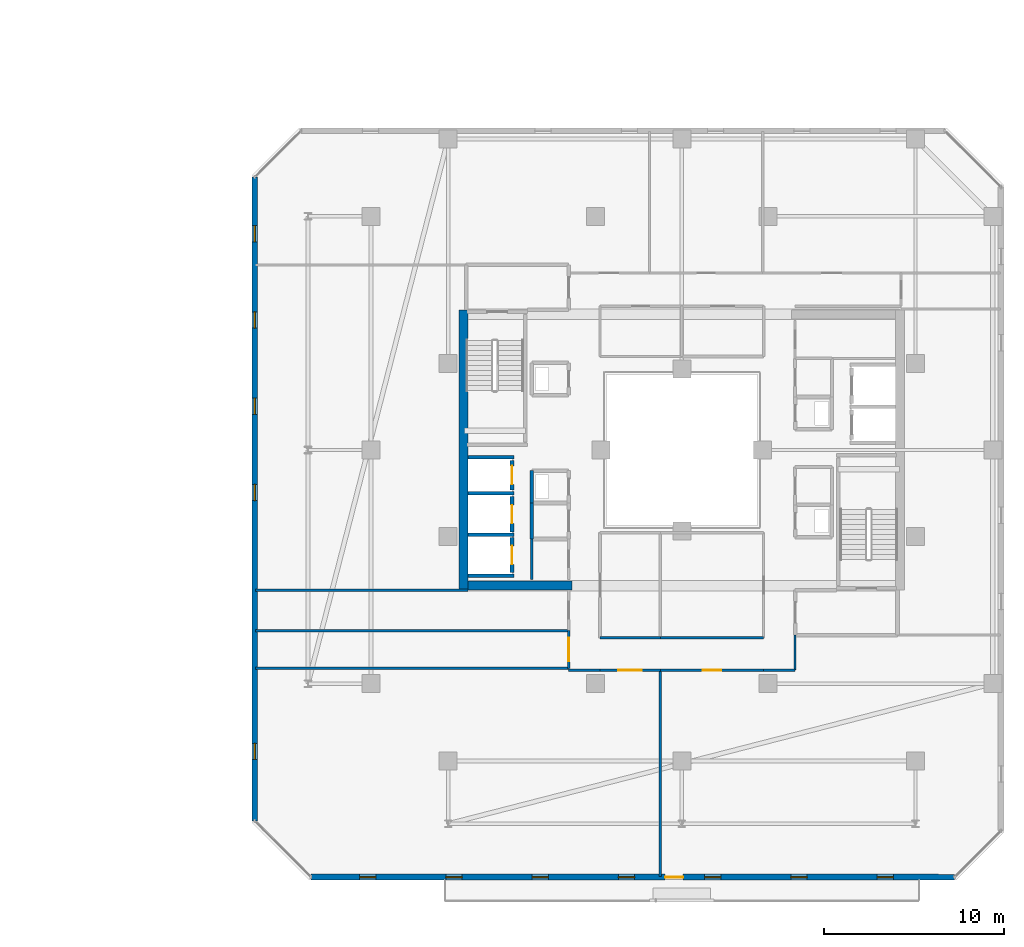
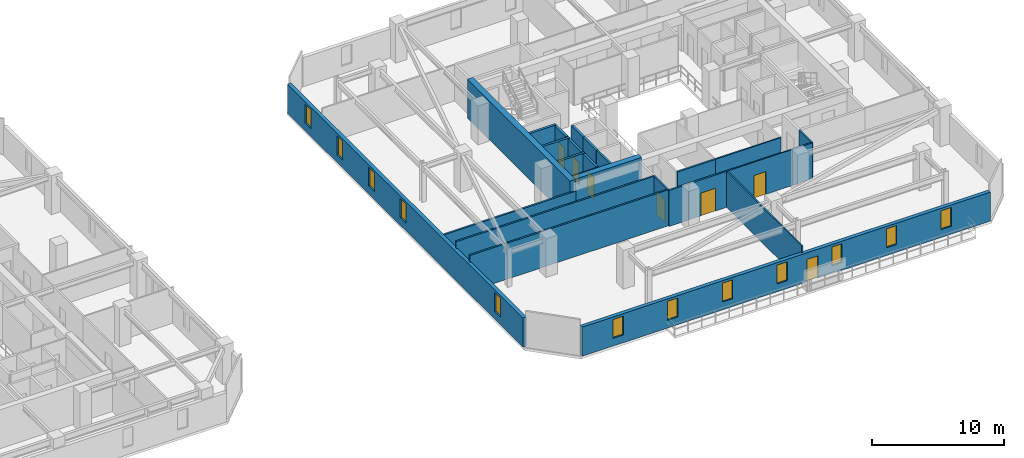
# One storey, part 23 of 33: 26 walls, 12 windows, 7 doors, 19 openings.
"""IFC4 building model written with IfcOpenShell, lengths in metres."""

from ifc_helpers import new_model, si_unit, direction, frame, frame_2d, origin, place, context, subcontext, project, spatial, rectangle, extrude, material, layer, layer_set, type_object, element, fill, save


model = new_model("IFC4")

# Units and contexts
model_context = context("Model", 3, precision=1e-05, world=origin(), true_north=direction((0.0, 1.0)))
body_context = subcontext(model_context, "Body", "Model", "MODEL_VIEW")
ifc_project = project(units=[si_unit("LENGTHUNIT", "METRE"), si_unit("AREAUNIT", "SQUARE_METRE"), si_unit("VOLUMEUNIT", "CUBIC_METRE"), si_unit("PLANEANGLEUNIT", "RADIAN"), si_unit("MASSUNIT", "GRAM", prefix="KILO")], contexts=[model_context])

# Site, building, storey
site_placement = place(None, origin())
site = spatial("IfcSite", under=ifc_project, at=site_placement, CompositionType="ELEMENT")
building_placement = place(site_placement, origin())
building = spatial("IfcBuilding", under=site, at=building_placement, Name="Thornwick Lancets Civic Towers", CompositionType="ELEMENT")
storey_placement = place(building_placement, frame((0.0, 0.0, 214.5)))
storey = spatial("IfcBuildingStorey", under=building, at=storey_placement, Name="L57", CompositionType="ELEMENT", Elevation=214.5)

# Wall, opening, door
ifc_material_1 = material(Name="Concrete blockwork C40/50", Category="masonry")
ifc_layer_1 = layer(ifc_material_1, 0.199951171875, Name="Concrete blockwork C40/50")
ifc_layer_set_1 = layer_set([ifc_layer_1], Name="Concrete blockwork C40/50")
wall_type_1 = type_object("IfcWallType", Name="WALL_COMP_200", PredefinedType="STANDARD", material=ifc_layer_set_1)
wall_1_placement = place(storey_placement, frame((79.050048828125, 24.780029296875, 0.0), z_axis=(0.0, 0.0, 1.0), x_axis=(0.0, 1.0, 0.0)))
wall_1 = element("IfcWall", 1, at=wall_1_placement, inside=storey, type_object=wall_type_1, Name="L57 Hoistway Front Wall FL-B2", PredefinedType="STANDARD", context=body_context, shape_type="SweptSolid", body=[
    extrude(rectangle(XDim=1.639892578125, YDim=0.199951171875, at=frame_2d((0.81982421875, 0.0))), origin(), (0.0, 0.0, 1.0), 3.340087890625),
])
opening_1_placement = place(wall_1_placement, frame((0.31005859375, 0.0, 0.0)))
opening_1 = element("IfcOpeningElement", 2, at=opening_1_placement, cuts=wall_1, Name="Opening LD-FL-B2", PredefinedType="OPENING", context=body_context, shape_type="SweptSolid", body=[
    extrude(rectangle(XDim=1.02001953125, YDim=2.06005859375, at=frame_2d((0.510009765625, 1.030029296875))), frame((0.0, 0.10986328125, 0.0), z_axis=(0.0, -1.0, 0.0), x_axis=(1.0, 0.0, 0.0)), (0.0, 0.0, 1.0), 0.219970703125),
])
ifc_material_2 = material(Name="Brushed bronze stainless steel", Category="steel")
door_type_1 = type_object("IfcDoorType", Name="DOOR_LIFT_SLIDE", OperationType="SLIDING_TO_LEFT", PredefinedType="DOOR", material=ifc_material_2)
door_1_placement = place(opening_1_placement, origin())
door_1 = element("IfcDoor", 3, at=door_1_placement, inside=storey, type_object=door_type_1, Name="L57 Sliding Lift Landing Door LD-FL-B2", OperationType="SLIDING_TO_LEFT", OverallHeight=2.06005859375, OverallWidth=1.02001953125, PredefinedType="DOOR", context=body_context, shape_type="SweptSolid", body=[
    extrude(rectangle(XDim=1.02001953125, YDim=2.06005859375, at=frame_2d((0.510009765625, 1.030029296875))), frame((0.0, 0.02490234375, 0.0), z_axis=(0.0, -1.0, 0.0), x_axis=(1.0, 0.0, 0.0)), (0.0, 0.0, 1.0), 0.050048828125),
])
fill(opening_1, door_1)

wall_2_placement = place(storey_placement, frame((79.050048828125, 22.429931640625, 0.0), z_axis=(0.0, 0.0, 1.0), x_axis=(0.0, 1.0, 0.0)))
wall_2 = element("IfcWall", 4, at=wall_2_placement, inside=storey, type_object=wall_type_1, Name="L57 Hoistway Front Wall PL-BH2", PredefinedType="STANDARD", context=body_context, shape_type="SweptSolid", body=[
    extrude(rectangle(XDim=1.989990234375, YDim=0.199951171875, at=frame_2d((0.9951171875, 0.0))), origin(), (0.0, 0.0, 1.0), 3.340087890625),
])
opening_2_placement = place(wall_2_placement, frame((0.485107421875, 0.0, 0.0)))
opening_2 = element("IfcOpeningElement", 5, at=opening_2_placement, cuts=wall_2, Name="Opening LD-PL-BH2", PredefinedType="OPENING", context=body_context, shape_type="SweptSolid", body=[
    extrude(rectangle(XDim=1.02001953125, YDim=2.06005859375, at=frame_2d((0.510009765625, 1.030029296875))), frame((0.0, 0.10986328125, 0.0), z_axis=(0.0, -1.0, 0.0), x_axis=(1.0, 0.0, 0.0)), (0.0, 0.0, 1.0), 0.219970703125),
])
door_2_placement = place(opening_2_placement, origin())
door_2 = element("IfcDoor", 6, at=door_2_placement, inside=storey, type_object=door_type_1, Name="L57 Sliding Lift Landing Door LD-PL-BH2", OperationType="SLIDING_TO_LEFT", OverallHeight=2.06005859375, OverallWidth=1.02001953125, PredefinedType="DOOR", context=body_context, shape_type="SweptSolid", body=[
    extrude(rectangle(XDim=1.02001953125, YDim=2.06005859375, at=frame_2d((0.510009765625, 1.030029296875))), frame((0.0, 0.02490234375, 0.0), z_axis=(0.0, -1.0, 0.0), x_axis=(1.0, 0.0, 0.0)), (0.0, 0.0, 1.0), 0.050048828125),
])
fill(opening_2, door_2)

wall_3_placement = place(storey_placement, frame((79.050048828125, 20.179931640625, 0.0), z_axis=(0.0, 0.0, 1.0), x_axis=(0.0, 1.0, 0.0)))
wall_3 = element("IfcWall", 7, at=wall_3_placement, inside=storey, type_object=wall_type_1, Name="L57 Hoistway Front Wall PL-BH3", PredefinedType="STANDARD", context=body_context, shape_type="SweptSolid", body=[
    extrude(rectangle(XDim=1.940185546875, YDim=0.199951171875, at=frame_2d((0.97021484375, 0.0))), origin(), (0.0, 0.0, 1.0), 3.340087890625),
])
opening_3_placement = place(wall_3_placement, frame((0.4599609375, 0.0, 0.0)))
opening_3 = element("IfcOpeningElement", 8, at=opening_3_placement, cuts=wall_3, Name="Opening LD-PL-BH3", PredefinedType="OPENING", context=body_context, shape_type="SweptSolid", body=[
    extrude(rectangle(XDim=1.02001953125, YDim=2.06005859375, at=frame_2d((0.510009765625, 1.030029296875))), frame((0.0, 0.10986328125, 0.0), z_axis=(0.0, -1.0, 0.0), x_axis=(1.0, 0.0, 0.0)), (0.0, 0.0, 1.0), 0.219970703125),
])
door_3_placement = place(opening_3_placement, origin())
door_3 = element("IfcDoor", 9, at=door_3_placement, inside=storey, type_object=door_type_1, Name="L57 Sliding Lift Landing Door LD-PL-BH3", OperationType="SLIDING_TO_LEFT", OverallHeight=2.06005859375, OverallWidth=1.02001953125, PredefinedType="DOOR", context=body_context, shape_type="SweptSolid", body=[
    extrude(rectangle(XDim=1.02001953125, YDim=2.06005859375, at=frame_2d((0.510009765625, 1.030029296875))), frame((0.0, 0.02490234375, 0.0), z_axis=(0.0, -1.0, 0.0), x_axis=(1.0, 0.0, 0.0)), (0.0, 0.0, 1.0), 0.050048828125),
])
fill(opening_3, door_3)

# Walls
for number, where, z_axis, x_axis, name in (
    (10, (76.612060546875, 26.60009765625, 0.0), (0.0, 0.0, 1.0), (1.0, 0.0, 0.0), "L57 Hoistway Shaft Wall FL-B2 N"),
    (11, (76.612060546875, 24.60009765625, 0.0), (0.0, 0.0, 1.0), (1.0, 0.0, 0.0), "L57 Hoistway Shaft Wall FL-B2 S"),
    (12, (76.612060546875, 22.27490234375, 0.0), (0.0, 0.0, 1.0), (1.0, 0.0, 0.0), "L57 Hoistway Shaft Wall PL-BH2 S"),
    (13, (76.612060546875, 20.0, 0.0), (0.0, 0.0, 1.0), (1.0, 0.0, 0.0), "L57 Hoistway Shaft Wall PL-BH3 S"),
):
    element("IfcWall", number, at=place(storey_placement, frame(where, z_axis=z_axis, x_axis=x_axis)), inside=storey, type_object=wall_type_1, Name=name, PredefinedType="STANDARD", context=body_context, shape_type="SweptSolid", body=[
        extrude(rectangle(XDim=2.535888671875, YDim=0.199951171875, at=frame_2d((1.26806640625, 0.0))), origin(), (0.0, 0.0, 1.0), 3.340087890625),
    ])
wall_4_placement = place(storey_placement, frame((80.14990234375, 25.85009765625, 0.0), z_axis=(0.0, 0.0, 1.0), x_axis=(0.0, -1.0, 0.0)))
element("IfcWall", 14, at=wall_4_placement, inside=storey, type_object=wall_type_1, Name="L57 Partition L57-B-DUCT2 E4", PredefinedType="STANDARD", context=body_context, shape_type="SweptSolid", body=[
    extrude(rectangle(XDim=1.800048828125, YDim=0.199951171875, at=frame_2d((0.89990234375, 0.0))), origin(), (0.0, 0.0, 1.0), 3.340087890625),
])
wall_5_placement = place(storey_placement, frame((80.14990234375, 22.050048828125, 0.0), z_axis=(0.0, 0.0, 1.0), x_axis=(0.0, 1.0, 0.0)))
element("IfcWall", 15, at=wall_5_placement, inside=storey, type_object=wall_type_1, Name="L57 Partition L57-B-STR E1", PredefinedType="STANDARD", context=body_context, shape_type="SweptSolid", body=[
    extrude(rectangle(XDim=2.0, YDim=0.199951171875, at=frame_2d((1.0, 0.0))), origin(), (0.0, 0.0, 1.0), 3.340087890625),
])
ifc_material_3 = material(Name="Concrete C50/60", Category="concrete")
ifc_layer_2 = layer(ifc_material_3, 0.5, Name="Concrete C50/60")
ifc_layer_set_2 = layer_set([ifc_layer_2], Name="Concrete C50/60")
wall_type_2 = type_object("IfcWallType", Name="WALL_CORE_500", PredefinedType="SHEAR", material=ifc_layer_set_2)
wall_6_placement = place(storey_placement, frame((76.35009765625, 19.199951171875, 0.0), z_axis=(0.0, 0.0, 1.0), x_axis=(0.0, 1.0, 0.0)))
element("IfcWall", 16, at=wall_6_placement, inside=storey, type_object=wall_type_2, Name="L57 Split Core B2 Shear Wall W", PredefinedType="SHEAR", context=body_context, shape_type="SweptSolid", body=[
    extrude(rectangle(XDim=15.60009765625, YDim=0.5, at=frame_2d((7.800048828125, 0.0))), origin(), (0.0, 0.0, 1.0), 3.60009765625),
])
wall_7_placement = place(storey_placement, frame((76.60009765625, 19.449951171875, 0.0), z_axis=(0.0, 0.0, 1.0), x_axis=(1.0, 0.0, 0.0)))
element("IfcWall", 17, at=wall_7_placement, inside=storey, type_object=wall_type_2, Name="L57 Split Core B2 Shear Wall S", PredefinedType="SHEAR", context=body_context, shape_type="SweptSolid", body=[
    extrude(rectangle(XDim=5.7998046875, YDim=0.5, at=frame_2d((2.89990234375, 0.0))), origin(), (0.0, 0.0, 1.0), 3.60009765625),
])

# Wall, openings, door, windows
ifc_material_4 = material(Name="Insulated buff terracotta rainscreen on concrete C40/50", Category="masonry")
ifc_layer_3 = layer(ifc_material_4, 0.320068359375, Name="Insulated buff terracotta rainscreen on concrete C40/50")
ifc_layer_set_3 = layer_set([ifc_layer_3], Name="Insulated buff terracotta rainscreen on concrete C40/50")
wall_type_3 = type_object("IfcWallType", Name="WALL_EXT_TERRA_320", PredefinedType="STANDARD", material=ifc_layer_set_3)
wall_8_placement = place(storey_placement, frame((67.87060546875, 3.2373046875, 0.0), z_axis=(0.0, 0.0, 1.0), x_axis=(0.999999998513, -5.4540124e-05, 0.0)))
wall_8 = element("IfcWall", 18, at=wall_8_placement, inside=storey, type_object=wall_type_3, Name="L57 Tower B Terracotta Facade Wall E0", PredefinedType="STANDARD", context=body_context, shape_type="SweptSolid", body=[
    extrude(rectangle(XDim=35.810791015625, YDim=0.320068359375, at=frame_2d((17.9052734375, 0.0))), origin(), (0.0, 0.0, 1.0), 2.699951171875),
])
opening_4_placement = place(wall_8_placement, frame((19.70556640625, 0.0, 0.0)))
opening_4 = element("IfcOpeningElement", 19, at=opening_4_placement, cuts=wall_8, Name="Opening D-BL-L57-BS", PredefinedType="OPENING", context=body_context, shape_type="SweptSolid", body=[
    extrude(rectangle(XDim=1.0, YDim=2.080078125, at=frame_2d((0.5, 1.0400390625))), frame((0.0, 0.169921875, 0.0), z_axis=(0.0, -1.0, 0.0), x_axis=(1.0, 0.0, 0.0)), (0.0, 0.0, 1.0), 0.340087890625),
])
opening_5_placement = place(wall_8_placement, frame((2.699951171875, 0.0, 0.719970703125)))
opening_5 = element("IfcOpeningElement", 20, at=opening_5_placement, cuts=wall_8, Name="Opening WL-01", PredefinedType="OPENING", context=body_context, shape_type="SweptSolid", body=[
    extrude(rectangle(XDim=0.89990234375, YDim=1.75, at=frame_2d((0.449951171875, 0.875))), frame((0.0, 0.169921875, 0.0), z_axis=(0.0, -1.0, 0.0), x_axis=(1.0, 0.0, 0.0)), (0.0, 0.0, 1.0), 0.340087890625),
])
opening_6_placement = place(wall_8_placement, frame((7.5, 0.0, 0.719970703125)))
opening_6 = element("IfcOpeningElement", 21, at=opening_6_placement, cuts=wall_8, Name="Opening WL-01", PredefinedType="OPENING", context=body_context, shape_type="SweptSolid", body=[
    extrude(rectangle(XDim=0.89990234375, YDim=1.75, at=frame_2d((0.449951171875, 0.875))), frame((0.0, 0.169921875, 0.0), z_axis=(0.0, -1.0, 0.0), x_axis=(1.0, 0.0, 0.0)), (0.0, 0.0, 1.0), 0.340087890625),
])
opening_7_placement = place(wall_8_placement, frame((12.300048828125, 0.0, 0.719970703125)))
opening_7 = element("IfcOpeningElement", 22, at=opening_7_placement, cuts=wall_8, Name="Opening WL-01", PredefinedType="OPENING", context=body_context, shape_type="SweptSolid", body=[
    extrude(rectangle(XDim=0.89990234375, YDim=1.75, at=frame_2d((0.449951171875, 0.875))), frame((0.0, 0.169921875, 0.0), z_axis=(0.0, -1.0, 0.0), x_axis=(1.0, 0.0, 0.0)), (0.0, 0.0, 1.0), 0.340087890625),
])
opening_8_placement = place(wall_8_placement, frame((17.10009765625, 0.0, 0.719970703125)))
opening_8 = element("IfcOpeningElement", 23, at=opening_8_placement, cuts=wall_8, Name="Opening WL-01", PredefinedType="OPENING", context=body_context, shape_type="SweptSolid", body=[
    extrude(rectangle(XDim=0.89990234375, YDim=1.75, at=frame_2d((0.449951171875, 0.875))), frame((0.0, 0.169921875, 0.0), z_axis=(0.0, -1.0, 0.0), x_axis=(1.0, 0.0, 0.0)), (0.0, 0.0, 1.0), 0.340087890625),
])
opening_9_placement = place(wall_8_placement, frame((21.89990234375, 0.0, 0.719970703125)))
opening_9 = element("IfcOpeningElement", 24, at=opening_9_placement, cuts=wall_8, Name="Opening WL-01", PredefinedType="OPENING", context=body_context, shape_type="SweptSolid", body=[
    extrude(rectangle(XDim=0.89990234375, YDim=1.75, at=frame_2d((0.449951171875, 0.875))), frame((0.0, 0.169921875, 0.0), z_axis=(0.0, -1.0, 0.0), x_axis=(1.0, 0.0, 0.0)), (0.0, 0.0, 1.0), 0.340087890625),
])
opening_10_placement = place(wall_8_placement, frame((26.699951171875, 0.0, 0.719970703125)))
opening_10 = element("IfcOpeningElement", 25, at=opening_10_placement, cuts=wall_8, Name="Opening WL-01", PredefinedType="OPENING", context=body_context, shape_type="SweptSolid", body=[
    extrude(rectangle(XDim=0.89990234375, YDim=1.75, at=frame_2d((0.449951171875, 0.875))), frame((0.0, 0.169921875, 0.0), z_axis=(0.0, -1.0, 0.0), x_axis=(1.0, 0.0, 0.0)), (0.0, 0.0, 1.0), 0.340087890625),
])
opening_11_placement = place(wall_8_placement, frame((31.5, 0.0, 0.719970703125)))
opening_11 = element("IfcOpeningElement", 26, at=opening_11_placement, cuts=wall_8, Name="Opening WL-01", PredefinedType="OPENING", context=body_context, shape_type="SweptSolid", body=[
    extrude(rectangle(XDim=0.89990234375, YDim=1.75, at=frame_2d((0.449951171875, 0.875))), frame((0.0, 0.169921875, 0.0), z_axis=(0.0, -1.0, 0.0), x_axis=(1.0, 0.0, 0.0)), (0.0, 0.0, 1.0), 0.340087890625),
])
ifc_material_5 = material(Name="Thermally broken glazed loggia doorset")
door_type_2 = type_object("IfcDoorType", Name="DOOR_BALC_1000", OperationType="NOTDEFINED", PredefinedType="DOOR", material=ifc_material_5)
door_4_placement = place(opening_4_placement, origin())
door_4 = element("IfcDoor", 27, at=door_4_placement, inside=storey, type_object=door_type_2, Name="L57 Tower B Loggia Balcony Door S", OperationType="SINGLE_SWING_RIGHT", OverallHeight=2.080078125, OverallWidth=1.0, PredefinedType="DOOR", context=body_context, shape_type="SweptSolid", body=[
    extrude(rectangle(XDim=1.0, YDim=2.080078125, at=frame_2d((0.5, 1.0400390625))), frame((0.0, 0.02490234375, 0.0), z_axis=(0.0, -1.0, 0.0), x_axis=(1.0, 0.0, 0.0)), (0.0, 0.0, 1.0), 0.050048828125),
])
fill(opening_4, door_4)
ifc_material_6 = material(Name="Clear low-e double glazing in bronze frame", Category="glass")
window_type = type_object("IfcWindowType", Name="WIN_LANCET_900", PartitioningType="SINGLE_PANEL", PredefinedType="WINDOW", material=ifc_material_6)
window_1_placement = place(opening_5_placement, origin())
window_1 = element("IfcWindow", 28, at=window_1_placement, inside=storey, type_object=window_type, Name="L57 Tower B Staggered Lancet Window E0-1", OverallHeight=1.75, OverallWidth=0.89990234375, PartitioningType="SINGLE_PANEL", PredefinedType="WINDOW", context=body_context, shape_type="SweptSolid", body=[
    extrude(rectangle(XDim=0.89990234375, YDim=1.75, at=frame_2d((0.449951171875, 0.875))), frame((0.0, 0.030029296875, 0.0), z_axis=(0.0, -1.0, 0.0), x_axis=(1.0, 0.0, 0.0)), (0.0, 0.0, 1.0), 0.06005859375),
])
fill(opening_5, window_1)
window_2_placement = place(opening_6_placement, origin())
window_2 = element("IfcWindow", 29, at=window_2_placement, inside=storey, type_object=window_type, Name="L57 Tower B Staggered Lancet Window E0-2", OverallHeight=1.75, OverallWidth=0.89990234375, PartitioningType="SINGLE_PANEL", PredefinedType="WINDOW", context=body_context, shape_type="SweptSolid", body=[
    extrude(rectangle(XDim=0.89990234375, YDim=1.75, at=frame_2d((0.449951171875, 0.875))), frame((0.0, 0.030029296875, 0.0), z_axis=(0.0, -1.0, 0.0), x_axis=(1.0, 0.0, 0.0)), (0.0, 0.0, 1.0), 0.06005859375),
])
fill(opening_6, window_2)
window_3_placement = place(opening_7_placement, origin())
window_3 = element("IfcWindow", 30, at=window_3_placement, inside=storey, type_object=window_type, Name="L57 Tower B Staggered Lancet Window E0-3", OverallHeight=1.75, OverallWidth=0.89990234375, PartitioningType="SINGLE_PANEL", PredefinedType="WINDOW", context=body_context, shape_type="SweptSolid", body=[
    extrude(rectangle(XDim=0.89990234375, YDim=1.75, at=frame_2d((0.449951171875, 0.875))), frame((0.0, 0.030029296875, 0.0), z_axis=(0.0, -1.0, 0.0), x_axis=(1.0, 0.0, 0.0)), (0.0, 0.0, 1.0), 0.06005859375),
])
fill(opening_7, window_3)
window_4_placement = place(opening_8_placement, origin())
window_4 = element("IfcWindow", 31, at=window_4_placement, inside=storey, type_object=window_type, Name="L57 Tower B Staggered Lancet Window E0-4", OverallHeight=1.75, OverallWidth=0.89990234375, PartitioningType="SINGLE_PANEL", PredefinedType="WINDOW", context=body_context, shape_type="SweptSolid", body=[
    extrude(rectangle(XDim=0.89990234375, YDim=1.75, at=frame_2d((0.449951171875, 0.875))), frame((0.0, 0.030029296875, 0.0), z_axis=(0.0, -1.0, 0.0), x_axis=(1.0, 0.0, 0.0)), (0.0, 0.0, 1.0), 0.06005859375),
])
fill(opening_8, window_4)
window_5_placement = place(opening_9_placement, origin())
window_5 = element("IfcWindow", 32, at=window_5_placement, inside=storey, type_object=window_type, Name="L57 Tower B Staggered Lancet Window E0-5", OverallHeight=1.75, OverallWidth=0.89990234375, PartitioningType="SINGLE_PANEL", PredefinedType="WINDOW", context=body_context, shape_type="SweptSolid", body=[
    extrude(rectangle(XDim=0.89990234375, YDim=1.75, at=frame_2d((0.449951171875, 0.875))), frame((0.0, 0.030029296875, 0.0), z_axis=(0.0, -1.0, 0.0), x_axis=(1.0, 0.0, 0.0)), (0.0, 0.0, 1.0), 0.06005859375),
])
fill(opening_9, window_5)
window_6_placement = place(opening_10_placement, origin())
window_6 = element("IfcWindow", 33, at=window_6_placement, inside=storey, type_object=window_type, Name="L57 Tower B Staggered Lancet Window E0-6", OverallHeight=1.75, OverallWidth=0.89990234375, PartitioningType="SINGLE_PANEL", PredefinedType="WINDOW", context=body_context, shape_type="SweptSolid", body=[
    extrude(rectangle(XDim=0.89990234375, YDim=1.75, at=frame_2d((0.449951171875, 0.875))), frame((0.0, 0.030029296875, 0.0), z_axis=(0.0, -1.0, 0.0), x_axis=(1.0, 0.0, 0.0)), (0.0, 0.0, 1.0), 0.06005859375),
])
fill(opening_10, window_6)
window_7_placement = place(opening_11_placement, origin())
window_7 = element("IfcWindow", 34, at=window_7_placement, inside=storey, type_object=window_type, Name="L57 Tower B Staggered Lancet Window E0-7", OverallHeight=1.75, OverallWidth=0.89990234375, PartitioningType="SINGLE_PANEL", PredefinedType="WINDOW", context=body_context, shape_type="SweptSolid", body=[
    extrude(rectangle(XDim=0.89990234375, YDim=1.75, at=frame_2d((0.449951171875, 0.875))), frame((0.0, 0.030029296875, 0.0), z_axis=(0.0, -1.0, 0.0), x_axis=(1.0, 0.0, 0.0)), (0.0, 0.0, 1.0), 0.06005859375),
])
fill(opening_11, window_7)

# Wall, openings, windows
wall_9_placement = place(storey_placement, frame((64.7353515625, 42.181396484375, 0.0), z_axis=(0.0, 0.0, 1.0), x_axis=(5.4540124e-05, -0.999999998513, 0.0)))
wall_9 = element("IfcWall", 35, at=wall_9_placement, inside=storey, type_object=wall_type_3, Name="L57 Tower B Terracotta Facade Wall E6", PredefinedType="STANDARD", context=body_context, shape_type="SweptSolid", body=[
    extrude(rectangle(XDim=35.810791015625, YDim=0.320068359375, at=frame_2d((17.9052734375, 0.0))), origin(), (0.0, 0.0, 1.0), 2.699951171875),
])
opening_12_placement = place(wall_9_placement, frame((2.699951171875, 0.0, 0.719970703125)))
opening_12 = element("IfcOpeningElement", 36, at=opening_12_placement, cuts=wall_9, Name="Opening WL-01", PredefinedType="OPENING", context=body_context, shape_type="SweptSolid", body=[
    extrude(rectangle(XDim=0.89990234375, YDim=1.75, at=frame_2d((0.449951171875, 0.875))), frame((0.0, 0.169921875, 0.0), z_axis=(0.0, -1.0, 0.0), x_axis=(1.0, 0.0, 0.0)), (0.0, 0.0, 1.0), 0.340087890625),
])
opening_13_placement = place(wall_9_placement, frame((7.5, 0.0, 0.719970703125)))
opening_13 = element("IfcOpeningElement", 37, at=opening_13_placement, cuts=wall_9, Name="Opening WL-01", PredefinedType="OPENING", context=body_context, shape_type="SweptSolid", body=[
    extrude(rectangle(XDim=0.89990234375, YDim=1.75, at=frame_2d((0.449951171875, 0.875))), frame((0.0, 0.169921875, 0.0), z_axis=(0.0, -1.0, 0.0), x_axis=(1.0, 0.0, 0.0)), (0.0, 0.0, 1.0), 0.340087890625),
])
opening_14_placement = place(wall_9_placement, frame((12.300048828125, 0.0, 0.719970703125)))
opening_14 = element("IfcOpeningElement", 38, at=opening_14_placement, cuts=wall_9, Name="Opening WL-01", PredefinedType="OPENING", context=body_context, shape_type="SweptSolid", body=[
    extrude(rectangle(XDim=0.89990234375, YDim=1.75, at=frame_2d((0.449951171875, 0.875))), frame((0.0, 0.169921875, 0.0), z_axis=(0.0, -1.0, 0.0), x_axis=(1.0, 0.0, 0.0)), (0.0, 0.0, 1.0), 0.340087890625),
])
opening_15_placement = place(wall_9_placement, frame((17.10009765625, 0.0, 0.719970703125)))
opening_15 = element("IfcOpeningElement", 39, at=opening_15_placement, cuts=wall_9, Name="Opening WL-01", PredefinedType="OPENING", context=body_context, shape_type="SweptSolid", body=[
    extrude(rectangle(XDim=0.89990234375, YDim=1.75, at=frame_2d((0.449951171875, 0.875))), frame((0.0, 0.169921875, 0.0), z_axis=(0.0, -1.0, 0.0), x_axis=(1.0, 0.0, 0.0)), (0.0, 0.0, 1.0), 0.340087890625),
])
opening_16_placement = place(wall_9_placement, frame((31.5, 0.0, 0.719970703125)))
opening_16 = element("IfcOpeningElement", 40, at=opening_16_placement, cuts=wall_9, Name="Opening WL-01", PredefinedType="OPENING", context=body_context, shape_type="SweptSolid", body=[
    extrude(rectangle(XDim=0.89990234375, YDim=1.75, at=frame_2d((0.449951171875, 0.875))), frame((0.0, 0.169921875, 0.0), z_axis=(0.0, -1.0, 0.0), x_axis=(1.0, 0.0, 0.0)), (0.0, 0.0, 1.0), 0.340087890625),
])
window_8_placement = place(opening_12_placement, origin())
window_8 = element("IfcWindow", 41, at=window_8_placement, inside=storey, type_object=window_type, Name="L57 Tower B Staggered Lancet Window E6-1", OverallHeight=1.75, OverallWidth=0.89990234375, PartitioningType="SINGLE_PANEL", PredefinedType="WINDOW", context=body_context, shape_type="SweptSolid", body=[
    extrude(rectangle(XDim=0.89990234375, YDim=1.75, at=frame_2d((0.449951171875, 0.875))), frame((0.0, 0.030029296875, 0.0), z_axis=(0.0, -1.0, 0.0), x_axis=(1.0, 0.0, 0.0)), (0.0, 0.0, 1.0), 0.06005859375),
])
fill(opening_12, window_8)
window_9_placement = place(opening_13_placement, origin())
window_9 = element("IfcWindow", 42, at=window_9_placement, inside=storey, type_object=window_type, Name="L57 Tower B Staggered Lancet Window E6-2", OverallHeight=1.75, OverallWidth=0.89990234375, PartitioningType="SINGLE_PANEL", PredefinedType="WINDOW", context=body_context, shape_type="SweptSolid", body=[
    extrude(rectangle(XDim=0.89990234375, YDim=1.75, at=frame_2d((0.449951171875, 0.875))), frame((0.0, 0.030029296875, 0.0), z_axis=(0.0, -1.0, 0.0), x_axis=(1.0, 0.0, 0.0)), (0.0, 0.0, 1.0), 0.06005859375),
])
fill(opening_13, window_9)
window_10_placement = place(opening_14_placement, origin())
window_10 = element("IfcWindow", 43, at=window_10_placement, inside=storey, type_object=window_type, Name="L57 Tower B Staggered Lancet Window E6-3", OverallHeight=1.75, OverallWidth=0.89990234375, PartitioningType="SINGLE_PANEL", PredefinedType="WINDOW", context=body_context, shape_type="SweptSolid", body=[
    extrude(rectangle(XDim=0.89990234375, YDim=1.75, at=frame_2d((0.449951171875, 0.875))), frame((0.0, 0.030029296875, 0.0), z_axis=(0.0, -1.0, 0.0), x_axis=(1.0, 0.0, 0.0)), (0.0, 0.0, 1.0), 0.06005859375),
])
fill(opening_14, window_10)
window_11_placement = place(opening_15_placement, origin())
window_11 = element("IfcWindow", 44, at=window_11_placement, inside=storey, type_object=window_type, Name="L57 Tower B Staggered Lancet Window E6-4", OverallHeight=1.75, OverallWidth=0.89990234375, PartitioningType="SINGLE_PANEL", PredefinedType="WINDOW", context=body_context, shape_type="SweptSolid", body=[
    extrude(rectangle(XDim=0.89990234375, YDim=1.75, at=frame_2d((0.449951171875, 0.875))), frame((0.0, 0.030029296875, 0.0), z_axis=(0.0, -1.0, 0.0), x_axis=(1.0, 0.0, 0.0)), (0.0, 0.0, 1.0), 0.06005859375),
])
fill(opening_15, window_11)
window_12_placement = place(opening_16_placement, origin())
window_12 = element("IfcWindow", 45, at=window_12_placement, inside=storey, type_object=window_type, Name="L57 Tower B Staggered Lancet Window E6-5", OverallHeight=1.75, OverallWidth=0.89990234375, PartitioningType="SINGLE_PANEL", PredefinedType="WINDOW", context=body_context, shape_type="SweptSolid", body=[
    extrude(rectangle(XDim=0.89990234375, YDim=1.75, at=frame_2d((0.449951171875, 0.875))), frame((0.0, 0.030029296875, 0.0), z_axis=(0.0, -1.0, 0.0), x_axis=(1.0, 0.0, 0.0)), (0.0, 0.0, 1.0), 0.06005859375),
])
fill(opening_16, window_12)

# Wall
ifc_material_7 = material(Name="Acoustic gypsum board partition")
ifc_layer_4 = layer(ifc_material_7, 0.1201171875, Name="Acoustic gypsum board partition")
ifc_layer_set_4 = layer_set([ifc_layer_4], Name="Acoustic gypsum board partition")
wall_type_4 = type_object("IfcWallType", Name="WALL_PART_120", PredefinedType="PARTITIONING", material=ifc_layer_set_4)
wall_10_placement = place(storey_placement, frame((87.300048828125, 3.280029296875, 0.0), z_axis=(0.0, 0.0, 1.0), x_axis=(0.0, 1.0, 0.0)))
element("IfcWall", 46, at=wall_10_placement, inside=storey, type_object=wall_type_4, Name="L57 Partition L57-B-W1 E2", PredefinedType="PARTITIONING", context=body_context, shape_type="SweptSolid", body=[
    extrude(rectangle(XDim=11.469970703125, YDim=0.1201171875, at=frame_2d((5.73486328125, 0.0))), origin(), (0.0, 0.0, 1.0), 3.340087890625),
])

# Wall, opening, door
wall_11_placement = place(storey_placement, frame((87.300048828125, 14.75, 0.0), z_axis=(0.0, 0.0, 1.0), x_axis=(1.0, 0.0, 0.0)))
wall_11 = element("IfcWall", 47, at=wall_11_placement, inside=storey, type_object=wall_type_4, Name="L57 Partition L57-B-W1 E3", PredefinedType="PARTITIONING", context=body_context, shape_type="SweptSolid", body=[
    extrude(rectangle(XDim=5.75, YDim=0.1201171875, at=frame_2d((2.875, 0.0))), origin(), (0.0, 0.0, 1.0), 3.340087890625),
])
opening_17_placement = place(wall_11_placement, frame((2.35009765625, 0.0, 0.0)))
opening_17 = element("IfcOpeningElement", 48, at=opening_17_placement, cuts=wall_11, Name="Opening D-L57-2566", PredefinedType="OPENING", context=body_context, shape_type="SweptSolid", body=[
    extrude(rectangle(XDim=1.050048828125, YDim=2.10009765625, at=frame_2d((0.52490234375, 1.050048828125))), frame((0.0, 0.070068359375, 0.0), z_axis=(0.0, -1.0, 0.0), x_axis=(1.0, 0.0, 0.0)), (0.0, 0.0, 1.0), 0.14013671875),
])
ifc_material_8 = material(Name="Glazed European oak executive doorset")
door_type_3 = type_object("IfcDoorType", Name="DOOR_OFFICE_1050", OperationType="NOTDEFINED", PredefinedType="DOOR", material=ifc_material_8)
door_5_placement = place(opening_17_placement, origin())
door_5 = element("IfcDoor", 49, at=door_5_placement, inside=storey, type_object=door_type_3, Name="L57 Tower B Ministry Directorate Office W1 Door", OperationType="SINGLE_SWING_LEFT", OverallHeight=2.10009765625, OverallWidth=1.050048828125, PredefinedType="DOOR", context=body_context, shape_type="SweptSolid", body=[
    extrude(rectangle(XDim=1.050048828125, YDim=2.10009765625, at=frame_2d((0.52490234375, 1.050048828125))), frame((0.0, 0.02490234375, 0.0), z_axis=(0.0, -1.0, 0.0), x_axis=(1.0, 0.0, 0.0)), (0.0, 0.0, 1.0), 0.050048828125),
])
fill(opening_17, door_5)

# Walls
wall_12_placement = place(storey_placement, frame((93.050048828125, 14.75, 0.0), z_axis=(0.0, 0.0, 1.0), x_axis=(1.0, 0.0, 0.0)))
element("IfcWall", 50, at=wall_12_placement, inside=storey, type_object=wall_type_4, Name="L57 Partition L57-B-W1 E4", PredefinedType="PARTITIONING", context=body_context, shape_type="SweptSolid", body=[
    extrude(rectangle(XDim=1.75, YDim=0.1201171875, at=frame_2d((0.875, 0.0))), origin(), (0.0, 0.0, 1.0), 3.340087890625),
])
wall_13_placement = place(storey_placement, frame((94.800048828125, 14.75, 0.0), z_axis=(0.0, 0.0, 1.0), x_axis=(0.0, 1.0, 0.0)))
element("IfcWall", 51, at=wall_13_placement, inside=storey, type_object=wall_type_4, Name="L57 Partition L57-B-W1 E5", PredefinedType="PARTITIONING", context=body_context, shape_type="SweptSolid", body=[
    extrude(rectangle(XDim=1.949951171875, YDim=0.1201171875, at=frame_2d((0.97509765625, 0.0))), origin(), (0.0, 0.0, 1.0), 3.340087890625),
])
wall_14_placement = place(storey_placement, frame((93.050048828125, 16.550048828125, 0.0), z_axis=(0.0, 0.0, 1.0), x_axis=(-1.0, 0.0, 0.0)))
element("IfcWall", 52, at=wall_14_placement, inside=storey, type_object=wall_type_4, Name="L57 Partition L57-B-W3 E4", PredefinedType="PARTITIONING", context=body_context, shape_type="SweptSolid", body=[
    extrude(rectangle(XDim=5.75, YDim=0.1201171875, at=frame_2d((2.875, 0.0))), origin(), (0.0, 0.0, 1.0), 3.340087890625),
])
ifc_material_9 = material(Name="Twin-stud acoustic gypsum board")
ifc_layer_5 = layer(ifc_material_9, 0.14990234375, Name="Twin-stud acoustic gypsum board")
ifc_layer_set_5 = layer_set([ifc_layer_5], Name="Twin-stud acoustic gypsum board")
wall_type_5 = type_object("IfcWallType", Name="WALL_PART_150", PredefinedType="PARTITIONING", material=ifc_layer_set_5)
wall_15_placement = place(storey_placement, frame((80.14990234375, 22.050048828125, 0.0), z_axis=(0.0, 0.0, 1.0), x_axis=(0.0, -1.0, 0.0)))
element("IfcWall", 53, at=wall_15_placement, inside=storey, type_object=wall_type_5, Name="L57 Partition L57-B-AWC E4", PredefinedType="PARTITIONING", context=body_context, shape_type="SweptSolid", body=[
    extrude(rectangle(XDim=2.25, YDim=0.14990234375, at=frame_2d((1.125, 0.0))), origin(), (0.0, 0.0, 1.0), 3.340087890625),
])
for number, where, z_axis, x_axis, name in (
    (54, (82.199951171875, 14.85009765625, 0.0), (0.0, 0.0, 1.0), (-1.0, 0.0, 0.0), "L57 Partition L57-B-RECLAIM-M1 E1"),
    (55, (64.780029296875, 16.949951171875, 0.0), (0.0, 0.0, 1.0), (1.0, 0.0, 0.0), "L57 Partition L57-B-RECLAIM-M1 E3"),
):
    element("IfcWall", number, at=place(storey_placement, frame(where, z_axis=z_axis, x_axis=x_axis)), inside=storey, type_object=wall_type_5, Name=name, PredefinedType="PARTITIONING", context=body_context, shape_type="SweptSolid", body=[
        extrude(rectangle(XDim=17.419921875, YDim=0.14990234375, at=frame_2d((8.7099609375, 0.0))), origin(), (0.0, 0.0, 1.0), 3.340087890625),
    ])

# Wall, opening, door
wall_16_placement = place(storey_placement, frame((82.199951171875, 16.949951171875, 0.0), z_axis=(0.0, 0.0, 1.0), x_axis=(0.0, -1.0, 0.0)))
wall_16 = element("IfcWall", 56, at=wall_16_placement, inside=storey, type_object=wall_type_5, Name="L57 Partition L57-B-RECLAIM-M1 E4", PredefinedType="PARTITIONING", context=body_context, shape_type="SweptSolid", body=[
    extrude(rectangle(XDim=2.099853515625, YDim=0.14990234375, at=frame_2d((1.0498046875, 0.0))), origin(), (0.0, 0.0, 1.0), 3.340087890625),
])
opening_18_placement = place(wall_16_placement, frame((0.39990234375, 0.0, 0.0)))
opening_18 = element("IfcOpeningElement", 57, at=opening_18_placement, cuts=wall_16, Name="Opening D-L57-2564", PredefinedType="OPENING", context=body_context, shape_type="SweptSolid", body=[
    extrude(rectangle(XDim=1.300048828125, YDim=2.1201171875, at=frame_2d((0.64990234375, 1.06005859375))), frame((0.0, 0.0849609375, 0.0), z_axis=(0.0, -1.0, 0.0), x_axis=(1.0, 0.0, 0.0)), (0.0, 0.0, 1.0), 0.169921875),
])
ifc_material_10 = material(Name="Acoustic oak leaf-and-a-half doorset")
door_type_4 = type_object("IfcDoorType", Name="DOOR_MEET_1300", OperationType="DOUBLE_DOOR_SINGLE_SWING", PredefinedType="DOOR", material=ifc_material_10)
door_6_placement = place(opening_18_placement, origin())
door_6 = element("IfcDoor", 58, at=door_6_placement, inside=storey, type_object=door_type_4, Name="L57 Tower B Diplomatic Conference Room Door", OperationType="DOUBLE_DOOR_SINGLE_SWING", OverallHeight=2.1201171875, OverallWidth=1.300048828125, PredefinedType="DOOR", context=body_context, shape_type="SweptSolid", body=[
    extrude(rectangle(XDim=1.300048828125, YDim=2.1201171875, at=frame_2d((0.64990234375, 1.06005859375))), frame((0.0, 0.02490234375, 0.0), z_axis=(0.0, -1.0, 0.0), x_axis=(1.0, 0.0, 0.0)), (0.0, 0.0, 1.0), 0.050048828125),
])
fill(opening_18, door_6)

# Walls
wall_17_placement = place(storey_placement, frame((64.780029296875, 19.199951171875, 0.0), z_axis=(0.0, 0.0, 1.0), x_axis=(1.0, 0.0, 0.0)))
element("IfcWall", 59, at=wall_17_placement, inside=storey, type_object=wall_type_5, Name="L57 Partition L57-B-RECLAIM-M2 E3", PredefinedType="PARTITIONING", context=body_context, shape_type="SweptSolid", body=[
    extrude(rectangle(XDim=11.820068359375, YDim=0.14990234375, at=frame_2d((5.91015625, 0.0))), origin(), (0.0, 0.0, 1.0), 2.544921875),
])
wall_18_placement = place(storey_placement, frame((82.199951171875, 14.75, 0.0), z_axis=(0.0, 0.0, 1.0), x_axis=(1.0, 0.0, 0.0)))
element("IfcWall", 60, at=wall_18_placement, inside=storey, type_object=wall_type_5, Name="L57 Partition L57-B-W2 E5", PredefinedType="PARTITIONING", context=body_context, shape_type="SweptSolid", body=[
    extrude(rectangle(XDim=1.75, YDim=0.14990234375, at=frame_2d((0.875, 0.0))), origin(), (0.0, 0.0, 1.0), 3.340087890625),
])

# Wall, opening, door
wall_19_placement = place(storey_placement, frame((83.949951171875, 14.75, 0.0), z_axis=(0.0, 0.0, 1.0), x_axis=(1.0, 0.0, 0.0)))
wall_19 = element("IfcWall", 61, at=wall_19_placement, inside=storey, type_object=wall_type_5, Name="L57 Partition L57-B-W2 E6", PredefinedType="PARTITIONING", context=body_context, shape_type="SweptSolid", body=[
    extrude(rectangle(XDim=3.35009765625, YDim=0.14990234375, at=frame_2d((1.675048828125, 0.0))), origin(), (0.0, 0.0, 1.0), 3.340087890625),
])
opening_19_placement = place(wall_19_placement, frame((1.02490234375, 0.0, 0.0)))
opening_19 = element("IfcOpeningElement", 62, at=opening_19_placement, cuts=wall_19, Name="Opening D-L57-2567", PredefinedType="OPENING", context=body_context, shape_type="SweptSolid", body=[
    extrude(rectangle(XDim=1.300048828125, YDim=2.1201171875, at=frame_2d((0.64990234375, 1.06005859375))), frame((0.0, 0.0849609375, 0.0), z_axis=(0.0, -1.0, 0.0), x_axis=(1.0, 0.0, 0.0)), (0.0, 0.0, 1.0), 0.169921875),
])
door_7_placement = place(opening_19_placement, origin())
door_7 = element("IfcDoor", 63, at=door_7_placement, inside=storey, type_object=door_type_4, Name="L57 Tower B Policy Briefing Room W2 Door", OperationType="DOUBLE_DOOR_SINGLE_SWING", OverallHeight=2.1201171875, OverallWidth=1.300048828125, PredefinedType="DOOR", context=body_context, shape_type="SweptSolid", body=[
    extrude(rectangle(XDim=1.300048828125, YDim=2.1201171875, at=frame_2d((0.64990234375, 1.06005859375))), frame((0.0, 0.02490234375, 0.0), z_axis=(0.0, -1.0, 0.0), x_axis=(1.0, 0.0, 0.0)), (0.0, 0.0, 1.0), 0.050048828125),
])
fill(opening_19, door_7)

# Wall
wall_20_placement = place(storey_placement, frame((87.300048828125, 16.550048828125, 0.0), z_axis=(0.0, 0.0, 1.0), x_axis=(-1.0, 0.0, 0.0)))
element("IfcWall", 64, at=wall_20_placement, inside=storey, type_object=wall_type_5, Name="L57 Partition L57-B-W4 E4", PredefinedType="PARTITIONING", context=body_context, shape_type="SweptSolid", body=[
    extrude(rectangle(XDim=3.35009765625, YDim=0.14990234375, at=frame_2d((1.675048828125, 0.0))), origin(), (0.0, 0.0, 1.0), 3.340087890625),
])

save(model, "model.ifc")
